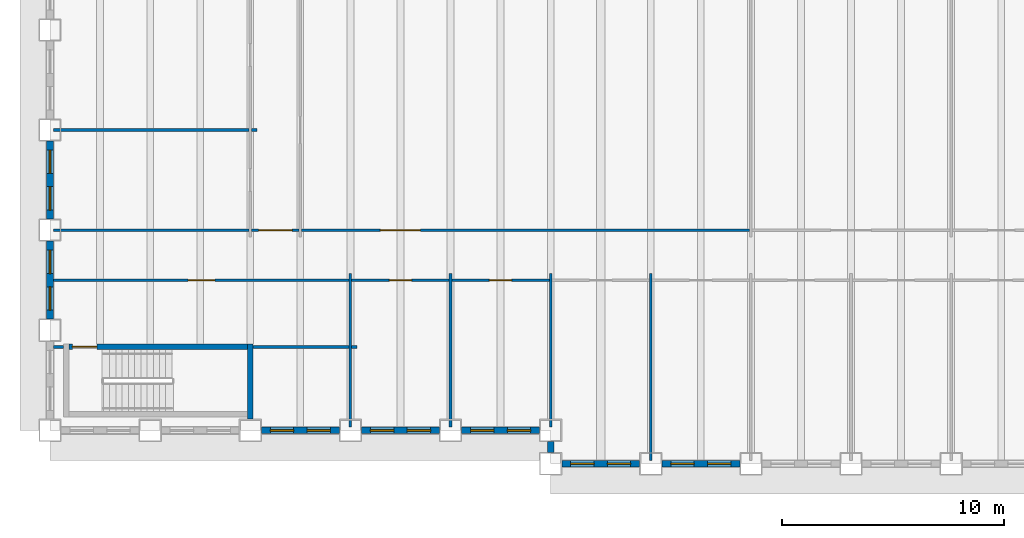
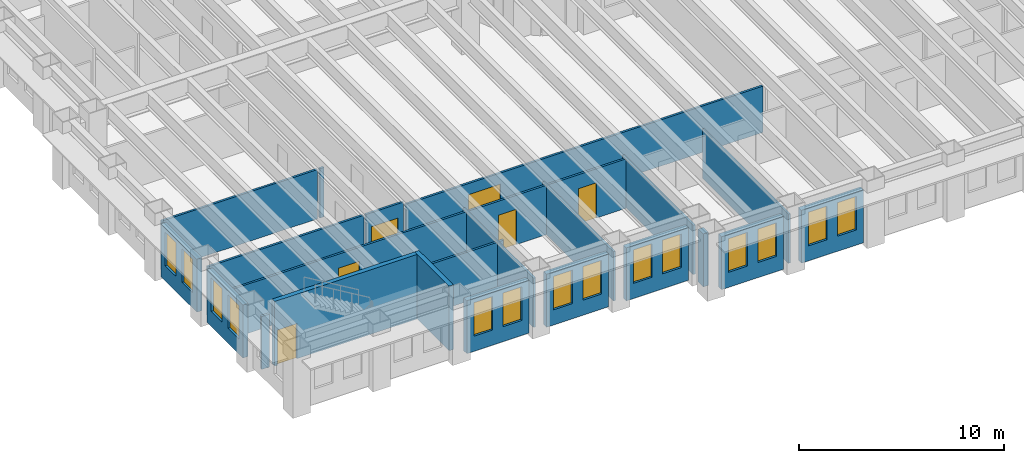
# One storey, part 3 of 16: 25 walls, 14 windows, 6 doors, 20 openings.
"""IFC4 building model written with IfcOpenShell, lengths in metres."""

from ifc_helpers import new_model, si_unit, direction, frame, frame_2d, origin, place, context, subcontext, project, spatial, rectangle, extrude, material, layer, layer_set, type_object, element, fill, save


model = new_model("IFC4")

# Units and contexts
model_context = context("Model", 3, precision=1e-05, world=origin(), true_north=direction((0.0, 1.0)))
body_context = subcontext(model_context, "Body", "Model", "MODEL_VIEW")
ifc_project = project(units=[si_unit("LENGTHUNIT", "METRE"), si_unit("AREAUNIT", "SQUARE_METRE"), si_unit("VOLUMEUNIT", "CUBIC_METRE"), si_unit("PLANEANGLEUNIT", "RADIAN"), si_unit("MASSUNIT", "GRAM", prefix="KILO")], contexts=[model_context])

# Site, building, storey
site_placement = place(None, origin())
site = spatial("IfcSite", under=ifc_project, at=site_placement, CompositionType="ELEMENT")
building_placement = place(site_placement, origin())
building = spatial("IfcBuilding", under=site, at=building_placement, Name="Sennacour Bend Tower", CompositionType="ELEMENT")
storey_placement = place(building_placement, frame((0.0, 0.0, 103.0)))
storey = spatial("IfcBuildingStorey", under=building, at=storey_placement, Name="L23", CompositionType="ELEMENT", Elevation=103.0)

# Walls
ifc_material_1 = material(Name="Plasterboard partition on steel studs", Category="steel")
ifc_layer_1 = layer(ifc_material_1, 0.1201171875, Name="Plasterboard partition on steel studs", Category="steel")
ifc_layer_set_1 = layer_set([ifc_layer_1], Name="Plasterboard partition on steel studs")
wall_type_1 = type_object("IfcWallType", Name="Partition 120", PredefinedType="PARTITIONING", material=ifc_layer_set_1)
for number, where, z_axis, x_axis, name in (
    (1, (13.5, 0.14990234375, 0.0), (0.0, 0.0, 1.0), (0.0, 1.0, 0.0), "P-L23-W015a"),
    (2, (18.0, 0.14990234375, 0.0), (0.0, 0.0, 1.0), (0.0, 1.0, 0.0), "P-L23-W019a"),
    (3, (22.5, 0.14990234375, 0.0), (0.0, 0.0, 1.0), (0.0, 1.0, 0.0), "P-L23-W023a"),
):
    element("IfcWall", number, at=place(storey_placement, frame(where, z_axis=z_axis, x_axis=x_axis)), inside=storey, type_object=wall_type_1, Name=name, PredefinedType="PARTITIONING", context=body_context, shape_type="SweptSolid", body=[
        extrude(rectangle(XDim=6.900146484375, YDim=0.1201171875, at=frame_2d((3.4501953125, 0.0))), origin(), (0.0, 0.0, 1.0), 2.93798828125),
    ])
wall_1_placement = place(storey_placement, frame((27.0, -1.35009765625, 0.0), z_axis=(0.0, 0.0, 1.0), x_axis=(0.0, 1.0, 0.0)))
element("IfcWall", 4, at=wall_1_placement, inside=storey, type_object=wall_type_1, Name="P-L23-W025a", PredefinedType="PARTITIONING", context=body_context, shape_type="SweptSolid", body=[
    extrude(rectangle(XDim=8.400146484375, YDim=0.1201171875, at=frame_2d((4.2001953125, 0.0))), origin(), (0.0, 0.0, 1.0), 2.93798828125),
])
wall_2_placement = place(storey_placement, frame((0.14990234375, 3.75, 0.0), z_axis=(0.0, 0.0, 1.0), x_axis=(1.0, 0.0, 0.0)))
element("IfcWall", 5, at=wall_2_placement, inside=storey, type_object=wall_type_1, Name="P-L23-W053a", PredefinedType="PARTITIONING", context=body_context, shape_type="SweptSolid", body=[
    extrude(rectangle(XDim=0.4501953125, YDim=0.1201171875, at=frame_2d((0.22509765625, 0.0))), origin(), (0.0, 0.0, 1.0), 3.154052734375),
])
wall_3_placement = place(storey_placement, frame((9.125, 3.75, 0.0), z_axis=(0.0, 0.0, 1.0), x_axis=(1.0, 0.0, 0.0)))
element("IfcWall", 6, at=wall_3_placement, inside=storey, type_object=wall_type_1, Name="P-L23-W055aa", PredefinedType="PARTITIONING", context=body_context, shape_type="SweptSolid", body=[
    extrude(rectangle(XDim=4.31494140625, YDim=0.1201171875, at=frame_2d((2.157470703125, 0.0))), origin(), (0.0, 0.0, 1.0), 2.93798828125),
])
wall_4_placement = place(storey_placement, frame((13.56005859375, 3.75, 0.0), z_axis=(0.0, 0.0, 1.0), x_axis=(1.0, 0.0, 0.0)))
element("IfcWall", 7, at=wall_4_placement, inside=storey, type_object=wall_type_1, Name="P-L23-W055ab", PredefinedType="PARTITIONING", context=body_context, shape_type="SweptSolid", body=[
    extrude(rectangle(XDim=0.239990234375, YDim=0.1201171875, at=frame_2d((0.1201171875, 0.0))), origin(), (0.0, 0.0, 1.0), 2.93798828125),
])

# Wall, opening, door
wall_5_placement = place(storey_placement, frame((13.56005859375, 6.75, 0.0), z_axis=(0.0, 0.0, 1.0), x_axis=(1.0, 0.0, 0.0)))
wall_5 = element("IfcWall", 8, at=wall_5_placement, inside=storey, type_object=wall_type_1, Name="P-L23-W060ab", PredefinedType="PARTITIONING", context=body_context, shape_type="SweptSolid", body=[
    extrude(rectangle(XDim=4.3798828125, YDim=0.1201171875, at=frame_2d((2.18994140625, 0.0))), origin(), (0.0, 0.0, 1.0), 2.93798828125),
])
opening_1_placement = place(wall_5_placement, frame((1.68994140625, 0.0, 0.0)))
opening_1 = element("IfcOpeningElement", 9, at=opening_1_placement, cuts=wall_5, Name="Opening OD2", PredefinedType="OPENING", context=body_context, shape_type="SweptSolid", body=[
    extrude(rectangle(XDim=1.0, YDim=2.10009765625, at=frame_2d((0.5, 1.050048828125))), frame((0.0, 0.070068359375, 0.0), z_axis=(0.0, -1.0, 0.0), x_axis=(1.0, 0.0, 0.0)), (0.0, 0.0, 1.0), 0.14013671875),
])
ifc_material_2 = material(Name="Timber", Category="wood")
door_type_1 = type_object("IfcDoorType", Name="DR-OFFICE-1000", OperationType="NOTDEFINED", PredefinedType="DOOR", material=ifc_material_2)
door_1_placement = place(opening_1_placement, origin())
door_1 = element("IfcDoor", 10, at=door_1_placement, inside=storey, type_object=door_type_1, Name="Door", OperationType="SINGLE_SWING_LEFT", OverallHeight=2.10009765625, OverallWidth=1.0, PredefinedType="DOOR", context=body_context, shape_type="SweptSolid", body=[
    extrude(rectangle(XDim=1.0, YDim=2.10009765625, at=frame_2d((0.5, 1.050048828125))), frame((0.0, 0.02490234375, 0.0), z_axis=(0.0, -1.0, 0.0), x_axis=(1.0, 0.0, 0.0)), (0.0, 0.0, 1.0), 0.050048828125),
])
fill(opening_1, door_1)

wall_6_placement = place(storey_placement, frame((18.06005859375, 6.75, 0.0), z_axis=(0.0, 0.0, 1.0), x_axis=(1.0, 0.0, 0.0)))
wall_6 = element("IfcWall", 11, at=wall_6_placement, inside=storey, type_object=wall_type_1, Name="P-L23-W060ac", PredefinedType="PARTITIONING", context=body_context, shape_type="SweptSolid", body=[
    extrude(rectangle(XDim=4.3798828125, YDim=0.1201171875, at=frame_2d((2.18994140625, 0.0))), origin(), (0.0, 0.0, 1.0), 2.93798828125),
])
opening_2_placement = place(wall_6_placement, frame((1.68994140625, 0.0, 0.0)))
opening_2 = element("IfcOpeningElement", 12, at=opening_2_placement, cuts=wall_6, Name="Opening OD2", PredefinedType="OPENING", context=body_context, shape_type="SweptSolid", body=[
    extrude(rectangle(XDim=1.0, YDim=2.10009765625, at=frame_2d((0.5, 1.050048828125))), frame((0.0, 0.070068359375, 0.0), z_axis=(0.0, -1.0, 0.0), x_axis=(1.0, 0.0, 0.0)), (0.0, 0.0, 1.0), 0.14013671875),
])
door_2_placement = place(opening_2_placement, origin())
door_2 = element("IfcDoor", 13, at=door_2_placement, inside=storey, type_object=door_type_1, Name="Door", OperationType="SINGLE_SWING_LEFT", OverallHeight=2.10009765625, OverallWidth=1.0, PredefinedType="DOOR", context=body_context, shape_type="SweptSolid", body=[
    extrude(rectangle(XDim=1.0, YDim=2.10009765625, at=frame_2d((0.5, 1.050048828125))), frame((0.0, 0.02490234375, 0.0), z_axis=(0.0, -1.0, 0.0), x_axis=(1.0, 0.0, 0.0)), (0.0, 0.0, 1.0), 0.050048828125),
])
fill(opening_2, door_2)

# Wall
wall_7_placement = place(storey_placement, frame((0.14990234375, 9.0, 0.0), z_axis=(0.0, 0.0, 1.0), x_axis=(1.0, 0.0, 0.0)))
element("IfcWall", 14, at=wall_7_placement, inside=storey, type_object=wall_type_1, Name="P-L23-W061aa", PredefinedType="PARTITIONING", context=body_context, shape_type="SweptSolid", body=[
    extrude(rectangle(XDim=8.7900390625, YDim=0.1201171875, at=frame_2d((4.39501953125, 0.0))), origin(), (0.0, 0.0, 1.0), 2.93798828125),
])

# Wall, opening, door
wall_8_placement = place(storey_placement, frame((11.31005859375, 9.0, 0.0), z_axis=(0.0, 0.0, 1.0), x_axis=(1.0, 0.0, 0.0)))
wall_8 = element("IfcWall", 15, at=wall_8_placement, inside=storey, type_object=wall_type_1, Name="P-L23-W061ac", PredefinedType="PARTITIONING", context=body_context, shape_type="SweptSolid", body=[
    extrude(rectangle(XDim=20.1298828125, YDim=0.1201171875, at=frame_2d((10.06494140625, 0.0))), origin(), (0.0, 0.0, 1.0), 2.760009765625),
])
opening_3_placement = place(wall_8_placement, frame((3.539794921875, 0.0, 0.0)))
opening_3 = element("IfcOpeningElement", 16, at=opening_3_placement, cuts=wall_8, Name="Opening OD3", PredefinedType="OPENING", context=body_context, shape_type="SweptSolid", body=[
    extrude(rectangle(XDim=1.800048828125, YDim=2.10009765625, at=frame_2d((0.89990234375, 1.050048828125))), frame((0.0, 0.070068359375, 0.0), z_axis=(0.0, -1.0, 0.0), x_axis=(1.0, 0.0, 0.0)), (0.0, 0.0, 1.0), 0.14013671875),
])
door_type_2 = type_object("IfcDoorType", Name="DR-OFFICE-1800", OperationType="NOTDEFINED", PredefinedType="DOOR", material=ifc_material_2)
door_3_placement = place(opening_3_placement, origin())
door_3 = element("IfcDoor", 17, at=door_3_placement, inside=storey, type_object=door_type_2, Name="Door", OperationType="DOUBLE_DOOR_SINGLE_SWING", OverallHeight=2.10009765625, OverallWidth=1.800048828125, PredefinedType="DOOR", context=body_context, shape_type="SweptSolid", body=[
    extrude(rectangle(XDim=1.800048828125, YDim=2.10009765625, at=frame_2d((0.89990234375, 1.050048828125))), frame((0.0, 0.02490234375, 0.0), z_axis=(0.0, -1.0, 0.0), x_axis=(1.0, 0.0, 0.0)), (0.0, 0.0, 1.0), 0.050048828125),
])
fill(opening_3, door_3)

# Walls
wall_9_placement = place(storey_placement, frame((0.14990234375, 13.5, 0.0), z_axis=(0.0, 0.0, 1.0), x_axis=(1.0, 0.0, 0.0)))
element("IfcWall", 18, at=wall_9_placement, inside=storey, type_object=wall_type_1, Name="P-L23-W064aa", PredefinedType="PARTITIONING", context=body_context, shape_type="SweptSolid", body=[
    extrude(rectangle(XDim=8.7900390625, YDim=0.1201171875, at=frame_2d((4.39501953125, 0.0))), origin(), (0.0, 0.0, 1.0), 2.93798828125),
])
wall_10_placement = place(storey_placement, frame((9.06005859375, 13.5, 0.0), z_axis=(0.0, 0.0, 1.0), x_axis=(1.0, 0.0, 0.0)))
element("IfcWall", 19, at=wall_10_placement, inside=storey, type_object=wall_type_1, Name="P-L23-W064ab", PredefinedType="PARTITIONING", context=body_context, shape_type="SweptSolid", body=[
    extrude(rectangle(XDim=0.239990234375, YDim=0.1201171875, at=frame_2d((0.1201171875, 0.0))), origin(), (0.0, 0.0, 1.0), 2.93798828125),
])

# Wall, opening, door
ifc_layer_2 = layer(ifc_material_1, 0.1201171875, Name="Plasterboard partition on steel studs", Category="steel")
ifc_layer_set_2 = layer_set([ifc_layer_2], Name="Plasterboard partition on steel studs")
wall_type_2 = type_object("IfcWallType", Name="Partition 120 EI 30", PredefinedType="PARTITIONING", material=ifc_layer_set_2)
wall_11_placement = place(storey_placement, frame((0.14990234375, 6.75, 0.0), z_axis=(0.0, 0.0, 1.0), x_axis=(1.0, 0.0, 0.0)))
wall_11 = element("IfcWall", 20, at=wall_11_placement, inside=storey, type_object=wall_type_2, Name="P-L23-W060aa", PredefinedType="PARTITIONING", context=body_context, shape_type="SweptSolid", body=[
    extrude(rectangle(XDim=13.2900390625, YDim=0.1201171875, at=frame_2d((6.64501953125, 0.0))), origin(), (0.0, 0.0, 1.0), 2.93798828125),
])
opening_4_placement = place(wall_11_placement, frame((6.05517578125, 0.0, 0.0)))
opening_4 = element("IfcOpeningElement", 21, at=opening_4_placement, cuts=wall_11, Name="Opening KD2", PredefinedType="OPENING", context=body_context, shape_type="SweptSolid", body=[
    extrude(rectangle(XDim=1.199951171875, YDim=2.10009765625, at=frame_2d((0.60009765625, 1.050048828125))), frame((0.0, 0.070068359375, 0.0), z_axis=(0.0, -1.0, 0.0), x_axis=(1.0, 0.0, 0.0)), (0.0, 0.0, 1.0), 0.14013671875),
])
ifc_material_3 = material(Name="Painted steel", Category="steel")
door_type_3 = type_object("IfcDoorType", Name="DR-CORRIDOR-1200", OperationType="NOTDEFINED", PredefinedType="DOOR", material=ifc_material_3)
door_4_placement = place(opening_4_placement, origin())
door_4 = element("IfcDoor", 22, at=door_4_placement, inside=storey, type_object=door_type_3, Name="Door", OperationType="SINGLE_SWING_LEFT", OverallHeight=2.10009765625, OverallWidth=1.199951171875, PredefinedType="DOOR", context=body_context, shape_type="SweptSolid", body=[
    extrude(rectangle(XDim=1.199951171875, YDim=2.10009765625, at=frame_2d((0.60009765625, 1.050048828125))), frame((0.0, 0.02490234375, 0.0), z_axis=(0.0, -1.0, 0.0), x_axis=(1.0, 0.0, 0.0)), (0.0, 0.0, 1.0), 0.050048828125),
])
fill(opening_4, door_4)

wall_12_placement = place(storey_placement, frame((9.06005859375, 9.0, 0.0), z_axis=(0.0, 0.0, 1.0), x_axis=(1.0, 0.0, 0.0)))
wall_12 = element("IfcWall", 23, at=wall_12_placement, inside=storey, type_object=wall_type_2, Name="P-L23-W061ab", PredefinedType="PARTITIONING", context=body_context, shape_type="SweptSolid", body=[
    extrude(rectangle(XDim=2.1298828125, YDim=0.1201171875, at=frame_2d((1.06494140625, 0.0))), origin(), (0.0, 0.0, 1.0), 2.93798828125),
])
opening_5_placement = place(wall_12_placement, frame((0.31494140625, 0.0, 0.0)))
opening_5 = element("IfcOpeningElement", 24, at=opening_5_placement, cuts=wall_12, Name="Opening KD", PredefinedType="OPENING", context=body_context, shape_type="SweptSolid", body=[
    extrude(rectangle(XDim=1.5, YDim=2.10009765625, at=frame_2d((0.75, 1.050048828125))), frame((0.0, 0.070068359375, 0.0), z_axis=(0.0, -1.0, 0.0), x_axis=(1.0, 0.0, 0.0)), (0.0, 0.0, 1.0), 0.14013671875),
])
door_type_4 = type_object("IfcDoorType", Name="DR-CORRIDOR-1500", OperationType="NOTDEFINED", PredefinedType="DOOR", material=ifc_material_3)
door_5_placement = place(opening_5_placement, origin())
door_5 = element("IfcDoor", 25, at=door_5_placement, inside=storey, type_object=door_type_4, Name="Door", OperationType="SINGLE_SWING_LEFT", OverallHeight=2.10009765625, OverallWidth=1.5, PredefinedType="DOOR", context=body_context, shape_type="SweptSolid", body=[
    extrude(rectangle(XDim=1.5, YDim=2.10009765625, at=frame_2d((0.75, 1.050048828125))), frame((0.0, 0.02490234375, 0.0), z_axis=(0.0, -1.0, 0.0), x_axis=(1.0, 0.0, 0.0)), (0.0, 0.0, 1.0), 0.050048828125),
])
fill(opening_5, door_5)

# Wall, openings, windows
ifc_material_4 = material(Name="Warm limestone cladding", Category="masonry")
ifc_layer_3 = layer(ifc_material_4, 0.050048828125, Name="Warm limestone cladding", Category="masonry")
ifc_material_5 = material(Name="Precast concrete C40/50", Category="concrete")
ifc_layer_4 = layer(ifc_material_5, 0.25, Name="Precast concrete C40/50", Category="concrete")
ifc_layer_set_3 = layer_set([ifc_layer_3, ifc_layer_4], Name="Precast concrete C40/50 with limestone cladding")
wall_type_3 = type_object("IfcWallType", Name="STONE-CLAD PRECAST SPANDREL 300", PredefinedType="STANDARD", material=ifc_layer_set_3)
wall_13_placement = place(storey_placement, frame((23.0, -1.5, 0.0), z_axis=(0.0, 0.0, 1.0), x_axis=(1.0, 0.0, 0.0)))
wall_13 = element("IfcWall", 26, at=wall_13_placement, inside=storey, type_object=wall_type_3, Name="Stone spandrel and pier wall L23 00.00", PredefinedType="STANDARD", context=body_context, shape_type="SweptSolid", body=[
    extrude(rectangle(XDim=3.5, YDim=0.300048828125, at=frame_2d((1.75, 0.0))), origin(), (0.0, 0.0, 1.0), 3.154052734375),
])
opening_6_placement = place(wall_13_placement, frame((0.39990234375, 0.0, 0.89990234375)))
opening_6 = element("IfcOpeningElement", 27, at=opening_6_placement, cuts=wall_13, Name="Opening W13", PredefinedType="OPENING", context=body_context, shape_type="SweptSolid", body=[
    extrude(rectangle(XDim=1.050048828125, YDim=2.0, at=frame_2d((0.52490234375, 1.0))), frame((0.0, 0.16015625, 0.0), z_axis=(0.0, -1.0, 0.0), x_axis=(1.0, 0.0, 0.0)), (0.0, 0.0, 1.0), 0.320068359375),
])
opening_7_placement = place(wall_13_placement, frame((2.050048828125, 0.0, 0.89990234375)))
opening_7 = element("IfcOpeningElement", 28, at=opening_7_placement, cuts=wall_13, Name="Opening W13", PredefinedType="OPENING", context=body_context, shape_type="SweptSolid", body=[
    extrude(rectangle(XDim=1.050048828125, YDim=2.0, at=frame_2d((0.52490234375, 1.0))), frame((0.0, 0.16015625, 0.0), z_axis=(0.0, -1.0, 0.0), x_axis=(1.0, 0.0, 0.0)), (0.0, 0.0, 1.0), 0.320068359375),
])
ifc_material_6 = material(Name="Clear low-emissivity glass", Category="glass")
window_type = type_object("IfcWindowType", Name="WIN-RIBBON-1050x2000", PartitioningType="SINGLE_PANEL", PredefinedType="WINDOW", material=ifc_material_6)
window_1_placement = place(opening_6_placement, origin())
window_1 = element("IfcWindow", 29, at=window_1_placement, inside=storey, type_object=window_type, Name="Ribbon window L23 00.00.0", OverallHeight=2.0, OverallWidth=1.050048828125, PartitioningType="SINGLE_PANEL", PredefinedType="WINDOW", context=body_context, shape_type="SweptSolid", body=[
    extrude(rectangle(XDim=1.050048828125, YDim=2.0, at=frame_2d((0.52490234375, 1.0))), frame((0.0, 0.030029296875, 0.0), z_axis=(0.0, -1.0, 0.0), x_axis=(1.0, 0.0, 0.0)), (0.0, 0.0, 1.0), 0.06005859375),
])
fill(opening_6, window_1)
window_2_placement = place(opening_7_placement, origin())
window_2 = element("IfcWindow", 30, at=window_2_placement, inside=storey, type_object=window_type, Name="Ribbon window L23 00.00.1", OverallHeight=2.0, OverallWidth=1.050048828125, PartitioningType="SINGLE_PANEL", PredefinedType="WINDOW", context=body_context, shape_type="SweptSolid", body=[
    extrude(rectangle(XDim=1.050048828125, YDim=2.0, at=frame_2d((0.52490234375, 1.0))), frame((0.0, 0.030029296875, 0.0), z_axis=(0.0, -1.0, 0.0), x_axis=(1.0, 0.0, 0.0)), (0.0, 0.0, 1.0), 0.06005859375),
])
fill(opening_7, window_2)

wall_14_placement = place(storey_placement, frame((27.5, -1.5, 0.0), z_axis=(0.0, 0.0, 1.0), x_axis=(1.0, 0.0, 0.0)))
wall_14 = element("IfcWall", 31, at=wall_14_placement, inside=storey, type_object=wall_type_3, Name="Stone spandrel and pier wall L23 00.01", PredefinedType="STANDARD", context=body_context, shape_type="SweptSolid", body=[
    extrude(rectangle(XDim=3.5, YDim=0.300048828125, at=frame_2d((1.75, 0.0))), origin(), (0.0, 0.0, 1.0), 3.154052734375),
])
opening_8_placement = place(wall_14_placement, frame((0.39990234375, 0.0, 0.89990234375)))
opening_8 = element("IfcOpeningElement", 32, at=opening_8_placement, cuts=wall_14, Name="Opening W13", PredefinedType="OPENING", context=body_context, shape_type="SweptSolid", body=[
    extrude(rectangle(XDim=1.050048828125, YDim=2.0, at=frame_2d((0.52490234375, 1.0))), frame((0.0, 0.16015625, 0.0), z_axis=(0.0, -1.0, 0.0), x_axis=(1.0, 0.0, 0.0)), (0.0, 0.0, 1.0), 0.320068359375),
])
opening_9_placement = place(wall_14_placement, frame((2.050048828125, 0.0, 0.89990234375)))
opening_9 = element("IfcOpeningElement", 33, at=opening_9_placement, cuts=wall_14, Name="Opening W13", PredefinedType="OPENING", context=body_context, shape_type="SweptSolid", body=[
    extrude(rectangle(XDim=1.050048828125, YDim=2.0, at=frame_2d((0.52490234375, 1.0))), frame((0.0, 0.16015625, 0.0), z_axis=(0.0, -1.0, 0.0), x_axis=(1.0, 0.0, 0.0)), (0.0, 0.0, 1.0), 0.320068359375),
])
window_3_placement = place(opening_8_placement, origin())
window_3 = element("IfcWindow", 34, at=window_3_placement, inside=storey, type_object=window_type, Name="Ribbon window L23 00.01.0", OverallHeight=2.0, OverallWidth=1.050048828125, PartitioningType="SINGLE_PANEL", PredefinedType="WINDOW", context=body_context, shape_type="SweptSolid", body=[
    extrude(rectangle(XDim=1.050048828125, YDim=2.0, at=frame_2d((0.52490234375, 1.0))), frame((0.0, 0.030029296875, 0.0), z_axis=(0.0, -1.0, 0.0), x_axis=(1.0, 0.0, 0.0)), (0.0, 0.0, 1.0), 0.06005859375),
])
fill(opening_8, window_3)
window_4_placement = place(opening_9_placement, origin())
window_4 = element("IfcWindow", 35, at=window_4_placement, inside=storey, type_object=window_type, Name="Ribbon window L23 00.01.1", OverallHeight=2.0, OverallWidth=1.050048828125, PartitioningType="SINGLE_PANEL", PredefinedType="WINDOW", context=body_context, shape_type="SweptSolid", body=[
    extrude(rectangle(XDim=1.050048828125, YDim=2.0, at=frame_2d((0.52490234375, 1.0))), frame((0.0, 0.030029296875, 0.0), z_axis=(0.0, -1.0, 0.0), x_axis=(1.0, 0.0, 0.0)), (0.0, 0.0, 1.0), 0.06005859375),
])
fill(opening_9, window_4)

wall_15_placement = place(storey_placement, frame((0.0, 13.0, 0.0), z_axis=(0.0, 0.0, 1.0), x_axis=(0.0, -1.0, 0.0)))
wall_15 = element("IfcWall", 36, at=wall_15_placement, inside=storey, type_object=wall_type_3, Name="Stone spandrel and pier wall L23 21.02", PredefinedType="STANDARD", context=body_context, shape_type="SweptSolid", body=[
    extrude(rectangle(XDim=3.5, YDim=0.300048828125, at=frame_2d((1.75, 0.0))), origin(), (0.0, 0.0, 1.0), 3.154052734375),
])
opening_10_placement = place(wall_15_placement, frame((0.39990234375, 0.0, 0.89990234375)))
opening_10 = element("IfcOpeningElement", 37, at=opening_10_placement, cuts=wall_15, Name="Opening W13", PredefinedType="OPENING", context=body_context, shape_type="SweptSolid", body=[
    extrude(rectangle(XDim=1.050048828125, YDim=2.0, at=frame_2d((0.52490234375, 1.0))), frame((0.0, 0.16015625, 0.0), z_axis=(0.0, -1.0, 0.0), x_axis=(1.0, 0.0, 0.0)), (0.0, 0.0, 1.0), 0.320068359375),
])
opening_11_placement = place(wall_15_placement, frame((2.050048828125, 0.0, 0.89990234375)))
opening_11 = element("IfcOpeningElement", 38, at=opening_11_placement, cuts=wall_15, Name="Opening W13", PredefinedType="OPENING", context=body_context, shape_type="SweptSolid", body=[
    extrude(rectangle(XDim=1.050048828125, YDim=2.0, at=frame_2d((0.52490234375, 1.0))), frame((0.0, 0.16015625, 0.0), z_axis=(0.0, -1.0, 0.0), x_axis=(1.0, 0.0, 0.0)), (0.0, 0.0, 1.0), 0.320068359375),
])
window_5_placement = place(opening_10_placement, origin())
window_5 = element("IfcWindow", 39, at=window_5_placement, inside=storey, type_object=window_type, Name="Ribbon window L23 21.02.0", OverallHeight=2.0, OverallWidth=1.050048828125, PartitioningType="SINGLE_PANEL", PredefinedType="WINDOW", context=body_context, shape_type="SweptSolid", body=[
    extrude(rectangle(XDim=1.050048828125, YDim=2.0, at=frame_2d((0.52490234375, 1.0))), frame((0.0, 0.030029296875, 0.0), z_axis=(0.0, -1.0, 0.0), x_axis=(1.0, 0.0, 0.0)), (0.0, 0.0, 1.0), 0.06005859375),
])
fill(opening_10, window_5)
window_6_placement = place(opening_11_placement, origin())
window_6 = element("IfcWindow", 40, at=window_6_placement, inside=storey, type_object=window_type, Name="Ribbon window L23 21.02.1", OverallHeight=2.0, OverallWidth=1.050048828125, PartitioningType="SINGLE_PANEL", PredefinedType="WINDOW", context=body_context, shape_type="SweptSolid", body=[
    extrude(rectangle(XDim=1.050048828125, YDim=2.0, at=frame_2d((0.52490234375, 1.0))), frame((0.0, 0.030029296875, 0.0), z_axis=(0.0, -1.0, 0.0), x_axis=(1.0, 0.0, 0.0)), (0.0, 0.0, 1.0), 0.06005859375),
])
fill(opening_11, window_6)

wall_16_placement = place(storey_placement, frame((0.0, 8.5, 0.0), z_axis=(0.0, 0.0, 1.0), x_axis=(0.0, -1.0, 0.0)))
wall_16 = element("IfcWall", 41, at=wall_16_placement, inside=storey, type_object=wall_type_3, Name="Stone spandrel and pier wall L23 21.03", PredefinedType="STANDARD", context=body_context, shape_type="SweptSolid", body=[
    extrude(rectangle(XDim=3.5, YDim=0.300048828125, at=frame_2d((1.75, 0.0))), origin(), (0.0, 0.0, 1.0), 3.154052734375),
])
opening_12_placement = place(wall_16_placement, frame((0.39990234375, 0.0, 0.89990234375)))
opening_12 = element("IfcOpeningElement", 42, at=opening_12_placement, cuts=wall_16, Name="Opening W13", PredefinedType="OPENING", context=body_context, shape_type="SweptSolid", body=[
    extrude(rectangle(XDim=1.050048828125, YDim=2.0, at=frame_2d((0.52490234375, 1.0))), frame((0.0, 0.16015625, 0.0), z_axis=(0.0, -1.0, 0.0), x_axis=(1.0, 0.0, 0.0)), (0.0, 0.0, 1.0), 0.320068359375),
])
opening_13_placement = place(wall_16_placement, frame((2.050048828125, 0.0, 0.89990234375)))
opening_13 = element("IfcOpeningElement", 43, at=opening_13_placement, cuts=wall_16, Name="Opening W13", PredefinedType="OPENING", context=body_context, shape_type="SweptSolid", body=[
    extrude(rectangle(XDim=1.050048828125, YDim=2.0, at=frame_2d((0.52490234375, 1.0))), frame((0.0, 0.16015625, 0.0), z_axis=(0.0, -1.0, 0.0), x_axis=(1.0, 0.0, 0.0)), (0.0, 0.0, 1.0), 0.320068359375),
])
window_7_placement = place(opening_12_placement, origin())
window_7 = element("IfcWindow", 44, at=window_7_placement, inside=storey, type_object=window_type, Name="Ribbon window L23 21.03.0", OverallHeight=2.0, OverallWidth=1.050048828125, PartitioningType="SINGLE_PANEL", PredefinedType="WINDOW", context=body_context, shape_type="SweptSolid", body=[
    extrude(rectangle(XDim=1.050048828125, YDim=2.0, at=frame_2d((0.52490234375, 1.0))), frame((0.0, 0.030029296875, 0.0), z_axis=(0.0, -1.0, 0.0), x_axis=(1.0, 0.0, 0.0)), (0.0, 0.0, 1.0), 0.06005859375),
])
fill(opening_12, window_7)
window_8_placement = place(opening_13_placement, origin())
window_8 = element("IfcWindow", 45, at=window_8_placement, inside=storey, type_object=window_type, Name="Ribbon window L23 21.03.1", OverallHeight=2.0, OverallWidth=1.050048828125, PartitioningType="SINGLE_PANEL", PredefinedType="WINDOW", context=body_context, shape_type="SweptSolid", body=[
    extrude(rectangle(XDim=1.050048828125, YDim=2.0, at=frame_2d((0.52490234375, 1.0))), frame((0.0, 0.030029296875, 0.0), z_axis=(0.0, -1.0, 0.0), x_axis=(1.0, 0.0, 0.0)), (0.0, 0.0, 1.0), 0.06005859375),
])
fill(opening_13, window_8)

wall_17_placement = place(storey_placement, frame((9.5, 0.0, 0.0), z_axis=(0.0, 0.0, 1.0), x_axis=(1.0, 0.0, 0.0)))
wall_17 = element("IfcWall", 46, at=wall_17_placement, inside=storey, type_object=wall_type_3, Name="Stone spandrel and pier wall L23 22.02", PredefinedType="STANDARD", context=body_context, shape_type="SweptSolid", body=[
    extrude(rectangle(XDim=3.5, YDim=0.300048828125, at=frame_2d((1.75, 0.0))), origin(), (0.0, 0.0, 1.0), 3.154052734375),
])
opening_14_placement = place(wall_17_placement, frame((0.39990234375, 0.0, 0.89990234375)))
opening_14 = element("IfcOpeningElement", 47, at=opening_14_placement, cuts=wall_17, Name="Opening W13", PredefinedType="OPENING", context=body_context, shape_type="SweptSolid", body=[
    extrude(rectangle(XDim=1.050048828125, YDim=2.0, at=frame_2d((0.52490234375, 1.0))), frame((0.0, 0.16015625, 0.0), z_axis=(0.0, -1.0, 0.0), x_axis=(1.0, 0.0, 0.0)), (0.0, 0.0, 1.0), 0.320068359375),
])
opening_15_placement = place(wall_17_placement, frame((2.050048828125, 0.0, 0.89990234375)))
opening_15 = element("IfcOpeningElement", 48, at=opening_15_placement, cuts=wall_17, Name="Opening W13", PredefinedType="OPENING", context=body_context, shape_type="SweptSolid", body=[
    extrude(rectangle(XDim=1.050048828125, YDim=2.0, at=frame_2d((0.52490234375, 1.0))), frame((0.0, 0.16015625, 0.0), z_axis=(0.0, -1.0, 0.0), x_axis=(1.0, 0.0, 0.0)), (0.0, 0.0, 1.0), 0.320068359375),
])
window_9_placement = place(opening_14_placement, origin())
window_9 = element("IfcWindow", 49, at=window_9_placement, inside=storey, type_object=window_type, Name="Ribbon window L23 22.02.0", OverallHeight=2.0, OverallWidth=1.050048828125, PartitioningType="SINGLE_PANEL", PredefinedType="WINDOW", context=body_context, shape_type="SweptSolid", body=[
    extrude(rectangle(XDim=1.050048828125, YDim=2.0, at=frame_2d((0.52490234375, 1.0))), frame((0.0, 0.030029296875, 0.0), z_axis=(0.0, -1.0, 0.0), x_axis=(1.0, 0.0, 0.0)), (0.0, 0.0, 1.0), 0.06005859375),
])
fill(opening_14, window_9)
window_10_placement = place(opening_15_placement, origin())
window_10 = element("IfcWindow", 50, at=window_10_placement, inside=storey, type_object=window_type, Name="Ribbon window L23 22.02.1", OverallHeight=2.0, OverallWidth=1.050048828125, PartitioningType="SINGLE_PANEL", PredefinedType="WINDOW", context=body_context, shape_type="SweptSolid", body=[
    extrude(rectangle(XDim=1.050048828125, YDim=2.0, at=frame_2d((0.52490234375, 1.0))), frame((0.0, 0.030029296875, 0.0), z_axis=(0.0, -1.0, 0.0), x_axis=(1.0, 0.0, 0.0)), (0.0, 0.0, 1.0), 0.06005859375),
])
fill(opening_15, window_10)

wall_18_placement = place(storey_placement, frame((14.0, 0.0, 0.0), z_axis=(0.0, 0.0, 1.0), x_axis=(1.0, 0.0, 0.0)))
wall_18 = element("IfcWall", 51, at=wall_18_placement, inside=storey, type_object=wall_type_3, Name="Stone spandrel and pier wall L23 22.03", PredefinedType="STANDARD", context=body_context, shape_type="SweptSolid", body=[
    extrude(rectangle(XDim=3.5, YDim=0.300048828125, at=frame_2d((1.75, 0.0))), origin(), (0.0, 0.0, 1.0), 3.154052734375),
])
opening_16_placement = place(wall_18_placement, frame((0.39990234375, 0.0, 0.89990234375)))
opening_16 = element("IfcOpeningElement", 52, at=opening_16_placement, cuts=wall_18, Name="Opening W13", PredefinedType="OPENING", context=body_context, shape_type="SweptSolid", body=[
    extrude(rectangle(XDim=1.050048828125, YDim=2.0, at=frame_2d((0.52490234375, 1.0))), frame((0.0, 0.16015625, 0.0), z_axis=(0.0, -1.0, 0.0), x_axis=(1.0, 0.0, 0.0)), (0.0, 0.0, 1.0), 0.320068359375),
])
opening_17_placement = place(wall_18_placement, frame((2.050048828125, 0.0, 0.89990234375)))
opening_17 = element("IfcOpeningElement", 53, at=opening_17_placement, cuts=wall_18, Name="Opening W13", PredefinedType="OPENING", context=body_context, shape_type="SweptSolid", body=[
    extrude(rectangle(XDim=1.050048828125, YDim=2.0, at=frame_2d((0.52490234375, 1.0))), frame((0.0, 0.16015625, 0.0), z_axis=(0.0, -1.0, 0.0), x_axis=(1.0, 0.0, 0.0)), (0.0, 0.0, 1.0), 0.320068359375),
])
window_11_placement = place(opening_16_placement, origin())
window_11 = element("IfcWindow", 54, at=window_11_placement, inside=storey, type_object=window_type, Name="Ribbon window L23 22.03.0", OverallHeight=2.0, OverallWidth=1.050048828125, PartitioningType="SINGLE_PANEL", PredefinedType="WINDOW", context=body_context, shape_type="SweptSolid", body=[
    extrude(rectangle(XDim=1.050048828125, YDim=2.0, at=frame_2d((0.52490234375, 1.0))), frame((0.0, 0.030029296875, 0.0), z_axis=(0.0, -1.0, 0.0), x_axis=(1.0, 0.0, 0.0)), (0.0, 0.0, 1.0), 0.06005859375),
])
fill(opening_16, window_11)
window_12_placement = place(opening_17_placement, origin())
window_12 = element("IfcWindow", 55, at=window_12_placement, inside=storey, type_object=window_type, Name="Ribbon window L23 22.03.1", OverallHeight=2.0, OverallWidth=1.050048828125, PartitioningType="SINGLE_PANEL", PredefinedType="WINDOW", context=body_context, shape_type="SweptSolid", body=[
    extrude(rectangle(XDim=1.050048828125, YDim=2.0, at=frame_2d((0.52490234375, 1.0))), frame((0.0, 0.030029296875, 0.0), z_axis=(0.0, -1.0, 0.0), x_axis=(1.0, 0.0, 0.0)), (0.0, 0.0, 1.0), 0.06005859375),
])
fill(opening_17, window_12)

wall_19_placement = place(storey_placement, frame((18.5, 0.0, 0.0), z_axis=(0.0, 0.0, 1.0), x_axis=(1.0, 0.0, 0.0)))
wall_19 = element("IfcWall", 56, at=wall_19_placement, inside=storey, type_object=wall_type_3, Name="Stone spandrel and pier wall L23 22.04", PredefinedType="STANDARD", context=body_context, shape_type="SweptSolid", body=[
    extrude(rectangle(XDim=3.5, YDim=0.300048828125, at=frame_2d((1.75, 0.0))), origin(), (0.0, 0.0, 1.0), 3.154052734375),
])
opening_18_placement = place(wall_19_placement, frame((0.39990234375, 0.0, 0.89990234375)))
opening_18 = element("IfcOpeningElement", 57, at=opening_18_placement, cuts=wall_19, Name="Opening W13", PredefinedType="OPENING", context=body_context, shape_type="SweptSolid", body=[
    extrude(rectangle(XDim=1.050048828125, YDim=2.0, at=frame_2d((0.52490234375, 1.0))), frame((0.0, 0.16015625, 0.0), z_axis=(0.0, -1.0, 0.0), x_axis=(1.0, 0.0, 0.0)), (0.0, 0.0, 1.0), 0.320068359375),
])
opening_19_placement = place(wall_19_placement, frame((2.050048828125, 0.0, 0.89990234375)))
opening_19 = element("IfcOpeningElement", 58, at=opening_19_placement, cuts=wall_19, Name="Opening W13", PredefinedType="OPENING", context=body_context, shape_type="SweptSolid", body=[
    extrude(rectangle(XDim=1.050048828125, YDim=2.0, at=frame_2d((0.52490234375, 1.0))), frame((0.0, 0.16015625, 0.0), z_axis=(0.0, -1.0, 0.0), x_axis=(1.0, 0.0, 0.0)), (0.0, 0.0, 1.0), 0.320068359375),
])
window_13_placement = place(opening_18_placement, origin())
window_13 = element("IfcWindow", 59, at=window_13_placement, inside=storey, type_object=window_type, Name="Ribbon window L23 22.04.0", OverallHeight=2.0, OverallWidth=1.050048828125, PartitioningType="SINGLE_PANEL", PredefinedType="WINDOW", context=body_context, shape_type="SweptSolid", body=[
    extrude(rectangle(XDim=1.050048828125, YDim=2.0, at=frame_2d((0.52490234375, 1.0))), frame((0.0, 0.030029296875, 0.0), z_axis=(0.0, -1.0, 0.0), x_axis=(1.0, 0.0, 0.0)), (0.0, 0.0, 1.0), 0.06005859375),
])
fill(opening_18, window_13)
window_14_placement = place(opening_19_placement, origin())
window_14 = element("IfcWindow", 60, at=window_14_placement, inside=storey, type_object=window_type, Name="Ribbon window L23 22.04.1", OverallHeight=2.0, OverallWidth=1.050048828125, PartitioningType="SINGLE_PANEL", PredefinedType="WINDOW", context=body_context, shape_type="SweptSolid", body=[
    extrude(rectangle(XDim=1.050048828125, YDim=2.0, at=frame_2d((0.52490234375, 1.0))), frame((0.0, 0.030029296875, 0.0), z_axis=(0.0, -1.0, 0.0), x_axis=(1.0, 0.0, 0.0)), (0.0, 0.0, 1.0), 0.06005859375),
])
fill(opening_19, window_14)

# Walls
wall_20_placement = place(storey_placement, frame((22.5, -0.5, 0.0), z_axis=(0.0, 0.0, 1.0), x_axis=(0.0, -1.0, 0.0)))
element("IfcWall", 61, at=wall_20_placement, inside=storey, type_object=wall_type_3, Name="Stone spandrel and pier wall L23 23.00", PredefinedType="STANDARD", context=body_context, shape_type="SweptSolid", body=[
    extrude(rectangle(XDim=0.5, YDim=0.300048828125, at=frame_2d((0.25, 0.0))), origin(), (0.0, 0.0, 1.0), 3.154052734375),
])
ifc_material_7 = material(Name="Concrete C60/75", Category="concrete")
ifc_layer_5 = layer(ifc_material_7, 0.25, Name="Concrete C60/75", Category="concrete")
ifc_layer_set_4 = layer_set([ifc_layer_5], Name="Concrete C60/75")
wall_type_4 = type_object("IfcWallType", Name="Stair wall 250", PredefinedType="SHEAR", material=ifc_layer_set_4)
wall_21_placement = place(storey_placement, frame((9.0, 0.5, 0.0), z_axis=(0.0, 0.0, 1.0), x_axis=(0.0, 1.0, 0.0)))
element("IfcWall", 62, at=wall_21_placement, inside=storey, type_object=wall_type_4, Name="P-L23-W010", PredefinedType="SHEAR", context=body_context, shape_type="SweptSolid", body=[
    extrude(rectangle(XDim=3.375, YDim=0.25, at=frame_2d((1.6875, 0.0))), origin(), (0.0, 0.0, 1.0), 3.85009765625),
])

# Wall, opening, door
wall_22_placement = place(storey_placement, frame((0.85009765625, 3.75, 0.0), z_axis=(0.0, 0.0, 1.0), x_axis=(1.0, 0.0, 0.0)))
wall_22 = element("IfcWall", 63, at=wall_22_placement, inside=storey, type_object=wall_type_4, Name="P-L23-W054", PredefinedType="SHEAR", context=body_context, shape_type="SweptSolid", body=[
    extrude(rectangle(XDim=8.02490234375, YDim=0.25, at=frame_2d((4.012451171875, 0.0))), origin(), (0.0, 0.0, 1.0), 3.85009765625),
])
opening_20_placement = place(wall_22_placement, frame((0.14990234375, 0.0, 0.0)))
opening_20 = element("IfcOpeningElement", 64, at=opening_20_placement, cuts=wall_22, Name="Opening SD", PredefinedType="OPENING", context=body_context, shape_type="SweptSolid", body=[
    extrude(rectangle(XDim=1.10009765625, YDim=2.10009765625, at=frame_2d((0.550048828125, 1.050048828125))), frame((0.0, 0.135009765625, 0.0), z_axis=(0.0, -1.0, 0.0), x_axis=(1.0, 0.0, 0.0)), (0.0, 0.0, 1.0), 0.27001953125),
])
door_type_5 = type_object("IfcDoorType", Name="DR-STAIR-1100", OperationType="NOTDEFINED", PredefinedType="DOOR", material=ifc_material_3)
door_6_placement = place(opening_20_placement, origin())
door_6 = element("IfcDoor", 65, at=door_6_placement, inside=storey, type_object=door_type_5, Name="Door", OperationType="SINGLE_SWING_LEFT", OverallHeight=2.10009765625, OverallWidth=1.10009765625, PredefinedType="DOOR", context=body_context, shape_type="SweptSolid", body=[
    extrude(rectangle(XDim=1.10009765625, YDim=2.10009765625, at=frame_2d((0.550048828125, 1.050048828125))), frame((0.0, 0.02490234375, 0.0), z_axis=(0.0, -1.0, 0.0), x_axis=(1.0, 0.0, 0.0)), (0.0, 0.0, 1.0), 0.050048828125),
])
fill(opening_20, door_6)

save(model, "model.ifc")
